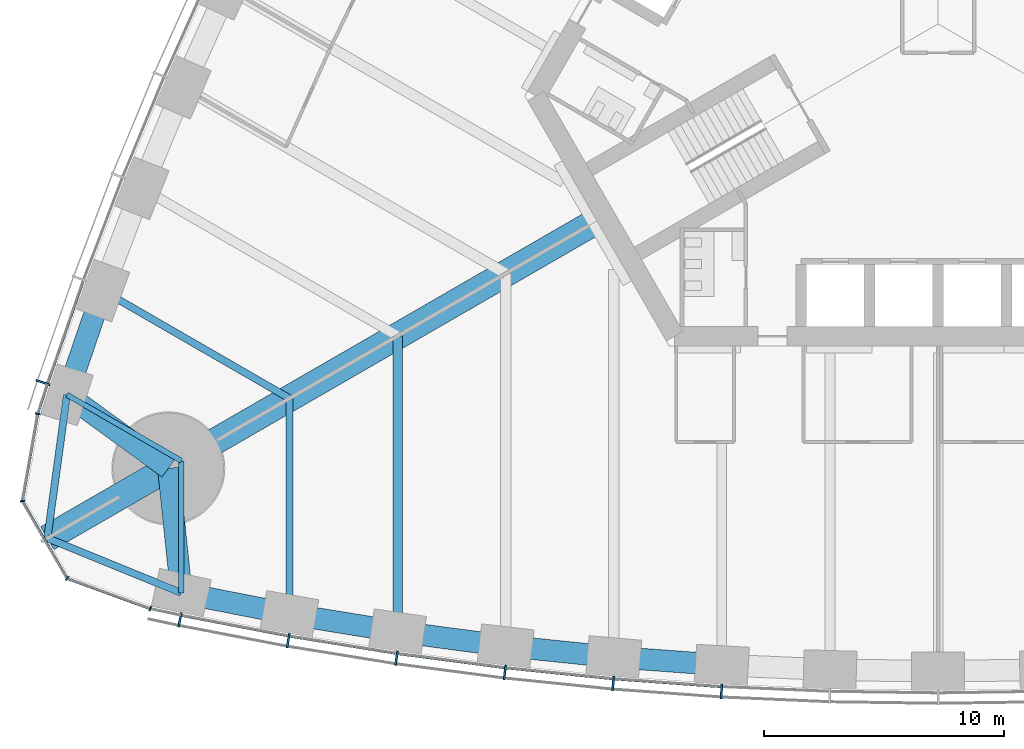
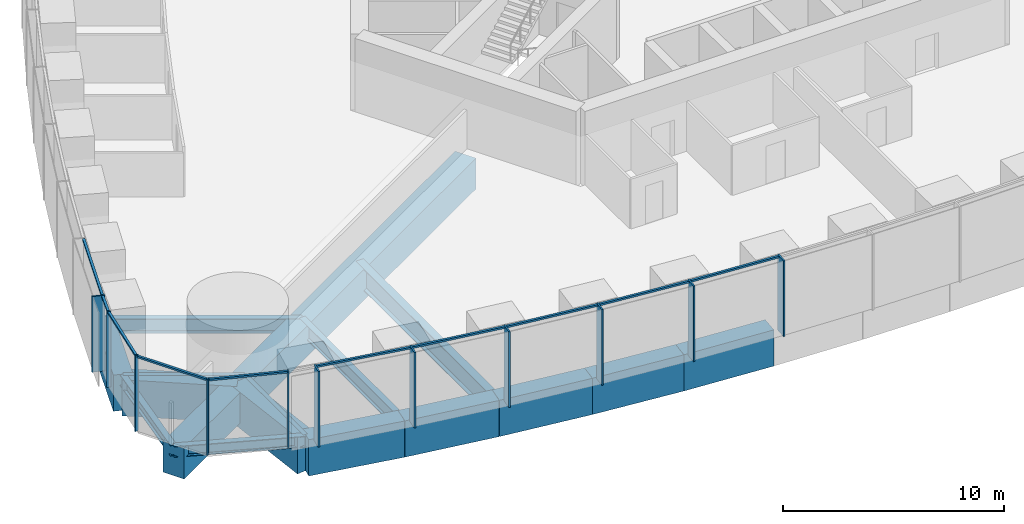
# One storey, part 2 of 19: 21 members, 17 beams, 3 elements without a shape of their own.
"""IFC4 building model written with IfcOpenShell, lengths in metres."""

from ifc_helpers import new_model, si_unit, direction, frame, origin, origin_2d, place, context, subcontext, project, spatial, rectangle, i_section, extrude, material, material_profile, profile_set, type_object, element, aggregate, save


model = new_model("IFC4")

# Units and contexts
model_context = context("Model", 3, precision=1e-05, world=origin(), true_north=direction((0.0, 1.0)))
body_context = subcontext(model_context, "Body", "Model", "MODEL_VIEW")
ifc_project = project(units=[si_unit("LENGTHUNIT", "METRE"), si_unit("AREAUNIT", "SQUARE_METRE"), si_unit("VOLUMEUNIT", "CUBIC_METRE"), si_unit("PLANEANGLEUNIT", "RADIAN"), si_unit("MASSUNIT", "GRAM", prefix="KILO")], contexts=[model_context])

# Site, building, storey
site_placement = place(None, origin())
site = spatial("IfcSite", under=ifc_project, at=site_placement, CompositionType="ELEMENT")
building_placement = place(site_placement, origin())
building = spatial("IfcBuilding", under=site, at=building_placement, Name="Trefoil Bronze Tower", CompositionType="ELEMENT")
storey_placement = place(building_placement, frame((0.0, 0.0, 79.5)))
storey = spatial("IfcBuildingStorey", under=building, at=storey_placement, Name="L18", CompositionType="ELEMENT", Elevation=79.5)

# Curtain wall, members
ifc_material_1 = material(Name="Tinted solar-control glass", Category="glass")
curtain_wall_type_1 = type_object("IfcCurtainWallType", Name="Bronze office curtain wall", PredefinedType="USERDEFINED", material=ifc_material_1)
curtain_wall_1_placement = place(storey_placement, origin())
curtain_wall_1 = element("IfcCurtainWall", 1, at=curtain_wall_1_placement, inside=storey, type_object=curtain_wall_type_1, Name="CW-A L18 F1", ObjectType="CURTAIN WALL", PredefinedType="USERDEFINED")
ifc_material_2 = material(Name="Bronze-finish aluminium", Category="aluminium")
ifc_material_profile_1 = material_profile(ifc_material_2, rectangle(XDim=0.60009765625, YDim=0.080078125, at=origin_2d()), Name="CW-A mullion")
ifc_profile_set_1 = profile_set([ifc_material_profile_1], Name="Bronze-finish aluminium")
member_type_1 = type_object("IfcMemberType", Name="Bronze office curtain wall mullion", PredefinedType="MULLION", material=ifc_profile_set_1)
member_1_placement = place(storey_placement, frame((-31.559326171875, -24.81005859375, 0.0), z_axis=(0.0, 0.0, 1.0), x_axis=(0.197910006829, 0.98022019424, 0.0)))
member_1 = element("IfcMember", 2, at=member_1_placement, type_object=member_type_1, Name="CW-A L18 F1 mullion 2", PredefinedType="MULLION", context=body_context, shape_type="SweptSolid", body=[
    extrude(rectangle(XDim=0.60009765625, YDim=0.080078125, at=origin_2d()), origin(), (0.0, 0.0, 1.0), 4.179931640625),
])
member_2_placement = place(storey_placement, frame((-27.05224609375, -25.67578125, 0.0), z_axis=(0.0, 0.0, 1.0), x_axis=(0.174131146426, 0.984722470468, 0.0)))
member_2 = element("IfcMember", 3, at=member_2_placement, type_object=member_type_1, Name="CW-A L18 F1 mullion 3", PredefinedType="MULLION", context=body_context, shape_type="SweptSolid", body=[
    extrude(rectangle(XDim=0.60009765625, YDim=0.080078125, at=origin_2d()), origin(), (0.0, 0.0, 1.0), 4.179931640625),
])
member_3_placement = place(storey_placement, frame((-22.54345703125, -26.40478515625, 0.0), z_axis=(0.0, 0.0, 1.0), x_axis=(0.145108990094, 0.989415676546, 0.0)))
member_3 = element("IfcMember", 4, at=member_3_placement, type_object=member_type_1, Name="CW-A L18 F1 mullion 4", PredefinedType="MULLION", context=body_context, shape_type="SweptSolid", body=[
    extrude(rectangle(XDim=0.60009765625, YDim=0.080078125, at=origin_2d()), origin(), (0.0, 0.0, 1.0), 4.179931640625),
])
member_4_placement = place(storey_placement, frame((-18.034912109375, -26.99853515625, 0.0), z_axis=(0.0, 0.0, 1.0), x_axis=(0.116086999973, 0.993239048989, 0.0)))
member_4 = element("IfcMember", 5, at=member_4_placement, type_object=member_type_1, Name="CW-A L18 F1 mullion 5", PredefinedType="MULLION", context=body_context, shape_type="SweptSolid", body=[
    extrude(rectangle(XDim=0.60009765625, YDim=0.080078125, at=origin_2d()), origin(), (0.0, 0.0, 1.0), 4.179931640625),
])
member_5_placement = place(storey_placement, frame((-13.526123046875, -27.458984375, 0.0), z_axis=(0.0, 0.0, 1.0), x_axis=(0.087065139456, 0.996202620701, 0.0)))
member_5 = element("IfcMember", 6, at=member_5_placement, type_object=member_type_1, Name="CW-A L18 F1 mullion 6", PredefinedType="MULLION", context=body_context, shape_type="SweptSolid", body=[
    extrude(rectangle(XDim=0.60009765625, YDim=0.080078125, at=origin_2d()), origin(), (0.0, 0.0, 1.0), 4.179931640625),
])
member_6_placement = place(storey_placement, frame((-9.017333984375, -27.786865234375, 0.0), z_axis=(0.0, 0.0, 1.0), x_axis=(0.058043374207, 0.998314062162, 0.0)))
member_6 = element("IfcMember", 7, at=member_6_placement, type_object=member_type_1, Name="CW-A L18 F1 mullion 7", PredefinedType="MULLION", context=body_context, shape_type="SweptSolid", body=[
    extrude(rectangle(XDim=0.60009765625, YDim=0.080078125, at=origin_2d()), origin(), (0.0, 0.0, 1.0), 4.179931640625),
])

# Curtain wall, member
curtain_wall_2_placement = place(storey_placement, origin())
curtain_wall_2 = element("IfcCurtainWall", 8, at=curtain_wall_2_placement, inside=storey, type_object=curtain_wall_type_1, Name="CW-A L18 F3", ObjectType="CURTAIN WALL", PredefinedType="USERDEFINED")
member_7_placement = place(storey_placement, frame((-37.265869140625, -14.92626953125, 0.0), z_axis=(0.0, 0.0, 1.0), x_axis=(0.947850592929, -0.318715003543, 0.0)))
member_7 = element("IfcMember", 9, at=member_7_placement, type_object=member_type_1, Name="CW-A L18 F3 mullion 16", PredefinedType="MULLION", context=body_context, shape_type="SweptSolid", body=[
    extrude(rectangle(XDim=0.60009765625, YDim=0.080078125, at=origin_2d()), origin(), (0.0, 0.0, 1.0), 4.179931640625),
])

# Member
ifc_material_3 = material(Name="Bronze-finish aluminium", Category="aluminium")
ifc_material_profile_2 = material_profile(ifc_material_3, rectangle(XDim=0.1201171875, YDim=0.10009765625, at=origin_2d()), Name="CW-A transom")
ifc_profile_set_2 = profile_set([ifc_material_profile_2], Name="Bronze-finish aluminium")
member_type_2 = type_object("IfcMemberType", Name="Bronze office curtain wall transom", PredefinedType="USERDEFINED", material=ifc_profile_set_2)
member_8_placement = place(storey_placement, frame((-31.4794921875, -24.621826171875, 4.1298828125), z_axis=(0.982053603997, -0.188602011855, 0.0), x_axis=(0.188602011855, 0.982053603997, 0.0)))
member_8 = element("IfcMember", 10, at=member_8_placement, type_object=member_type_2, Name="CW-A L18 F1 transom 2", ObjectType="TRANSOM", PredefinedType="USERDEFINED", context=body_context, shape_type="SweptSolid", body=[
    extrude(rectangle(XDim=0.1201171875, YDim=0.10009765625, at=origin_2d()), origin(), (0.0, 0.0, 1.0), 4.502197265625),
])

member_9_placement = place(storey_placement, frame((-26.9765625, -25.4853515625, 4.1298828125), z_axis=(0.987179401487, -0.159614627398, 0.0), x_axis=(0.159614627398, 0.987179401487, 0.0)))
member_9 = element("IfcMember", 11, at=member_9_placement, type_object=member_type_2, Name="CW-A L18 F1 transom 3", ObjectType="TRANSOM", PredefinedType="USERDEFINED", context=body_context, shape_type="SweptSolid", body=[
    extrude(rectangle(XDim=0.1201171875, YDim=0.10009765625, at=origin_2d()), origin(), (0.0, 0.0, 1.0), 4.478515625),
])

member_10_placement = place(storey_placement, frame((-22.473388671875, -26.212158203125, 4.1298828125), z_axis=(0.991436581643, -0.13058906761, 0.0), x_axis=(0.13058906761, 0.991436581643, 0.0)))
member_10 = element("IfcMember", 12, at=member_10_placement, type_object=member_type_2, Name="CW-A L18 F1 transom 4", ObjectType="TRANSOM", PredefinedType="USERDEFINED", context=body_context, shape_type="SweptSolid", body=[
    extrude(rectangle(XDim=0.1201171875, YDim=0.10009765625, at=origin_2d()), origin(), (0.0, 0.0, 1.0), 4.458740234375),
])

member_11_placement = place(storey_placement, frame((-17.970458984375, -26.80419921875, 4.1298828125), z_axis=(0.994831650915, -0.101538102888, 0.0), x_axis=(0.101538102888, 0.994831650915, 0.0)))
member_11 = element("IfcMember", 13, at=member_11_placement, type_object=member_type_2, Name="CW-A L18 F1 transom 5", ObjectType="TRANSOM", PredefinedType="USERDEFINED", context=body_context, shape_type="SweptSolid", body=[
    extrude(rectangle(XDim=0.1201171875, YDim=0.10009765625, at=origin_2d()), origin(), (0.0, 0.0, 1.0), 4.443359375),
])

member_12_placement = place(storey_placement, frame((-13.46728515625, -27.2626953125, 4.1298828125), z_axis=(0.997364729945, -0.07255064067, 0.0), x_axis=(0.07255064067, 0.997364729945, 0.0)))
member_12 = element("IfcMember", 14, at=member_12_placement, type_object=member_type_2, Name="CW-A L18 F1 transom 6", ObjectType="TRANSOM", PredefinedType="USERDEFINED", context=body_context, shape_type="SweptSolid", body=[
    extrude(rectangle(XDim=0.1201171875, YDim=0.10009765625, at=origin_2d()), origin(), (0.0, 0.0, 1.0), 4.431884765625),
])

aggregate(curtain_wall_1, [member_1, member_2, member_3, member_4, member_5, member_6, member_8, member_9, member_10, member_11, member_12])

member_13_placement = place(storey_placement, frame((-35.587646484375, -10.697509765625, 4.1298828125), z_axis=(-0.327689728493, -0.944785394595, 0.0), x_axis=(0.944785394595, -0.327689728493, 0.0)))
member_13 = element("IfcMember", 15, at=member_13_placement, type_object=member_type_2, Name="CW-A L18 F3 transom 15", ObjectType="TRANSOM", PredefinedType="USERDEFINED", context=body_context, shape_type="SweptSolid", body=[
    extrude(rectangle(XDim=0.1201171875, YDim=0.10009765625, at=origin_2d()), origin(), (0.0, 0.0, 1.0), 4.502197265625),
])

member_14_placement = place(storey_placement, frame((-37.089111328125, -15.02880859375, 4.1298828125), z_axis=(-0.309624219148, -0.950859002648, 0.0), x_axis=(0.950859002648, -0.309624219148, 0.0)))
member_14 = element("IfcMember", 16, at=member_14_placement, type_object=member_type_2, Name="CW-A L18 F3 transom 16", ObjectType="TRANSOM", PredefinedType="USERDEFINED", context=body_context, shape_type="SweptSolid", body=[
    extrude(rectangle(XDim=0.1201171875, YDim=0.10009765625, at=origin_2d()), origin(), (0.0, 0.0, 1.0), 1.21044921875),
])

aggregate(curtain_wall_2, [member_7, member_13, member_14])

# Curtain wall, members
ifc_material_4 = material(Name="Tinted solar-control glass", Category="glass")
curtain_wall_type_2 = type_object("IfcCurtainWallType", Name="Bronze rounded corner curtain wall", PredefinedType="USERDEFINED", material=ifc_material_4)
curtain_wall_3_placement = place(storey_placement, origin())
curtain_wall_3 = element("IfcCurtainWall", 17, at=curtain_wall_3_placement, inside=storey, type_object=curtain_wall_type_2, Name="CW-B L18 K3", ObjectType="CURTAIN WALL", PredefinedType="USERDEFINED")
ifc_material_5 = material(Name="Bronze-finish aluminium", Category="aluminium")
ifc_material_profile_3 = material_profile(ifc_material_5, rectangle(XDim=0.199951171875, YDim=0.06005859375, at=origin_2d()), Name="CW-B mullion")
ifc_profile_set_3 = profile_set([ifc_material_profile_3], Name="Bronze-finish aluminium")
member_type_3 = type_object("IfcMemberType", Name="Bronze rounded corner curtain wall mullion", PredefinedType="MULLION", material=ifc_profile_set_3)
member_15_placement = place(storey_placement, frame((-37.479736328125, -16.2314453125, 0.0), z_axis=(0.0, 0.0, 1.0), x_axis=(0.984807753012, -0.173648177667, 0.0)))
member_15 = element("IfcMember", 18, at=member_15_placement, type_object=member_type_3, Name="CW-B L18 K3 mullion 1", PredefinedType="MULLION", context=body_context, shape_type="SweptSolid", body=[
    extrude(rectangle(XDim=0.199951171875, YDim=0.06005859375, at=origin_2d()), origin(), (0.0, 0.0, 1.0), 4.179931640625),
])
member_16_placement = place(storey_placement, frame((-38.11328125, -19.85888671875, 0.0), z_axis=(0.0, 0.0, 1.0), x_axis=(0.984807753012, 0.173648177667, 0.0)))
member_16 = element("IfcMember", 19, at=member_16_placement, type_object=member_type_3, Name="CW-B L18 K3 mullion 2", PredefinedType="MULLION", context=body_context, shape_type="SweptSolid", body=[
    extrude(rectangle(XDim=0.199951171875, YDim=0.06005859375, at=origin_2d()), origin(), (0.0, 0.0, 1.0), 4.179931640625),
])
member_17_placement = place(storey_placement, frame((-36.2548828125, -23.07763671875, 0.0), z_axis=(0.0, 0.0, 1.0), x_axis=(0.642787609687, 0.766044443119, 0.0)))
member_17 = element("IfcMember", 20, at=member_17_placement, type_object=member_type_3, Name="CW-B L18 K3 mullion 3", PredefinedType="MULLION", context=body_context, shape_type="SweptSolid", body=[
    extrude(rectangle(XDim=0.199951171875, YDim=0.06005859375, at=origin_2d()), origin(), (0.0, 0.0, 1.0), 4.179931640625),
])
member_18_placement = place(storey_placement, frame((-32.796630859375, -24.3427734375, 0.0), z_axis=(0.0, 0.0, 1.0), x_axis=(0.342020143326, 0.939692620786, 0.0)))
member_18 = element("IfcMember", 21, at=member_18_placement, type_object=member_type_3, Name="CW-B L18 K3 mullion 4", PredefinedType="MULLION", context=body_context, shape_type="SweptSolid", body=[
    extrude(rectangle(XDim=0.199951171875, YDim=0.06005859375, at=origin_2d()), origin(), (0.0, 0.0, 1.0), 4.179931640625),
])
ifc_material_6 = material(Name="Bronze-finish aluminium", Category="aluminium")
ifc_material_profile_4 = material_profile(ifc_material_6, rectangle(XDim=0.1201171875, YDim=0.10009765625, at=origin_2d()), Name="CW-B transom")
ifc_profile_set_4 = profile_set([ifc_material_profile_4], Name="Bronze-finish aluminium")
member_type_4 = type_object("IfcMemberType", Name="Bronze rounded corner curtain wall transom", PredefinedType="USERDEFINED", material=ifc_profile_set_4)
member_19_placement = place(storey_placement, frame((-37.48486328125, -16.260986328125, 4.1298828125), z_axis=(-0.17363783606, -0.984809576461, 0.0), x_axis=(0.984809576461, -0.17363783606, 0.0)))
member_19 = element("IfcMember", 22, at=member_19_placement, type_object=member_type_4, Name="CW-B L18 K3 transom 1", ObjectType="TRANSOM", PredefinedType="USERDEFINED", context=body_context, shape_type="SweptSolid", body=[
    extrude(rectangle(XDim=0.1201171875, YDim=0.10009765625, at=origin_2d()), origin(), (0.0, 0.0, 1.0), 3.588134765625),
])
member_20_placement = place(storey_placement, frame((-38.08642578125, -19.91748046875, 4.1298828125), z_axis=(0.500024788772, -0.866011091507, 0.0), x_axis=(0.866011091507, 0.500024788772, 0.0)))
member_20 = element("IfcMember", 23, at=member_20_placement, type_object=member_type_4, Name="CW-B L18 K3 transom 2", ObjectType="TRANSOM", PredefinedType="USERDEFINED", context=body_context, shape_type="SweptSolid", body=[
    extrude(rectangle(XDim=0.1201171875, YDim=0.10009765625, at=origin_2d()), origin(), (0.0, 0.0, 1.0), 3.588134765625),
])
member_21_placement = place(storey_placement, frame((-36.196533203125, -23.105224609375, 4.1298828125), z_axis=(0.939688092095, -0.342032585545, 0.0), x_axis=(0.342032585545, 0.939688092095, 0.0)))
member_21 = element("IfcMember", 24, at=member_21_placement, type_object=member_type_4, Name="CW-B L18 K3 transom 3", ObjectType="TRANSOM", PredefinedType="USERDEFINED", context=body_context, shape_type="SweptSolid", body=[
    extrude(rectangle(XDim=0.1201171875, YDim=0.10009765625, at=origin_2d()), origin(), (0.0, 0.0, 1.0), 3.588134765625),
])
aggregate(curtain_wall_3, [member_15, member_16, member_17, member_18, member_19, member_20, member_21])

# Beams
ifc_material_7 = material(Name="Concrete B80", Category="concrete")
ifc_material_profile_5 = material_profile(ifc_material_7, rectangle(XDim=1.10009765625, YDim=1.699951171875, at=origin_2d()), Name="RC 1100x1700")
ifc_profile_set_5 = profile_set([ifc_material_profile_5], Name="Concrete B80")
beam_type_1 = type_object("IfcBeamType", Name="Corner cantilever RC 1100x1700", PredefinedType="BEAM", material=ifc_profile_set_5)
beam_1_placement = place(storey_placement, frame((-32.04296875, -18.5, -1.050048828125), z_axis=(-0.866030348588, -0.499991435252, 0.0), x_axis=(0.499991435252, -0.866030348588, 0.0)))
element("IfcBeam", 25, at=beam_1_placement, inside=storey, type_object=beam_type_1, Name="Corner cantilever K3 L18", PredefinedType="BEAM", context=body_context, shape_type="SweptSolid", body=[
    extrude(rectangle(XDim=1.10009765625, YDim=1.699951171875, at=origin_2d()), origin(), (0.0, 0.0, 1.0), 5.81396484375),
])
ifc_material_8 = material(Name="Steel C355", Category="steel")
ifc_material_profile_6 = material_profile(ifc_material_8, i_section(OverallWidth=0.300048828125, OverallDepth=0.60009765625, WebThickness=0.015380859375, FlangeThickness=0.030029296875, FilletRadius=0.027099609375, at=origin_2d()), Name="HEB 600")
ifc_profile_set_6 = profile_set([ifc_material_profile_6], Name="Steel C355")
beam_type_2 = type_object("IfcBeamType", Name="Corner edge beam HEB 600", PredefinedType="BEAM", material=ifc_profile_set_6)
beam_2_placement = place(storey_placement, frame((-31.5, -23.684814453125, -0.5), z_axis=(-0.925786874353, 0.378045848114, 0.0), x_axis=(-0.378045848114, -0.925786874353, 0.0)))
element("IfcBeam", 26, at=beam_2_placement, inside=storey, type_object=beam_type_2, Name="Corner edge beam F1B L18", PredefinedType="BEAM", context=body_context, shape_type="SweptSolid", body=[
    extrude(i_section(OverallWidth=0.300048828125, OverallDepth=0.60009765625, WebThickness=0.015380859375, FlangeThickness=0.030029296875, FilletRadius=0.027099609375, at=origin_2d()), origin(), (0.0, 0.0, 1.0), 6.025390625),
])
beam_3_placement = place(storey_placement, frame((-36.26171875, -15.4375, -0.5), z_axis=(-0.13550196505, -0.990777077585, 0.0), x_axis=(0.990777077585, -0.13550196505, 0.0)))
element("IfcBeam", 27, at=beam_3_placement, inside=storey, type_object=beam_type_2, Name="Corner edge beam F3A L18", PredefinedType="BEAM", context=body_context, shape_type="SweptSolid", body=[
    extrude(i_section(OverallWidth=0.300048828125, OverallDepth=0.60009765625, WebThickness=0.015380859375, FlangeThickness=0.030029296875, FilletRadius=0.027099609375, at=origin_2d()), origin(), (0.0, 0.0, 1.0), 6.025146484375),
])
ifc_material_9 = material(Name="Concrete B80", Category="concrete")
ifc_material_profile_7 = material_profile(ifc_material_9, rectangle(XDim=1.10009765625, YDim=1.699951171875, at=origin_2d()), Name="RC 1100x1700")
ifc_profile_set_7 = profile_set([ifc_material_profile_7], Name="Concrete B80")
beam_type_3 = type_object("IfcBeamType", Name="Corner girder RC 1100x1700", PredefinedType="BEAM", material=ifc_profile_set_7)
beam_4_placement = place(storey_placement, frame((-14.202880859375, -8.199951171875, -1.050048828125), z_axis=(-0.866023947468, -0.500002522405, 0.0), x_axis=(0.500002522405, -0.866023947468, 0.0)))
element("IfcBeam", 28, at=beam_4_placement, inside=storey, type_object=beam_type_3, Name="Corner girder K3 L18", PredefinedType="BEAM", context=body_context, shape_type="SweptSolid", body=[
    extrude(rectangle(XDim=1.10009765625, YDim=1.699951171875, at=origin_2d()), origin(), (0.0, 0.0, 1.0), 20.60009765625),
])
ifc_material_10 = material(Name="Concrete B80", Category="concrete")
ifc_material_profile_8 = material_profile(ifc_material_10, rectangle(XDim=0.89990234375, YDim=2.0, at=origin_2d()), Name="RC 900x2000")
ifc_profile_set_8 = profile_set([ifc_material_profile_8], Name="Concrete B80")
beam_type_4 = type_object("IfcBeamType", Name="End spandrel beam RC 900x2000", PredefinedType="SPANDREL", material=ifc_profile_set_8)
for number, where, z_axis, x_axis, name in (
    (29, (-32.04296875, -18.5, -1.199951171875), (0.104153327908, -0.994561252154, 0.0), (0.994561252154, 0.104153327908, 0.0), "Spandrel F1.1 L18"),
    (30, (-36.26171875, -15.4375, -1.199951171875), (0.809254211267, -0.587458612624, 0.0), (0.587458612624, 0.809254211267, 0.0), "Spandrel F3.16 L18"),
):
    element("IfcBeam", number, at=place(storey_placement, frame(where, z_axis=z_axis, x_axis=x_axis)), inside=storey, type_object=beam_type_4, Name=name, PredefinedType="SPANDREL", context=body_context, shape_type="SweptSolid", body=[
        extrude(rectangle(XDim=0.89990234375, YDim=2.0, at=origin_2d()), origin(), (0.0, 0.0, 1.0), 5.213134765625),
    ])
ifc_material_11 = material(Name="Steel C355", Category="steel")
ifc_material_profile_9 = material_profile(ifc_material_11, i_section(OverallWidth=0.300048828125, OverallDepth=0.800048828125, WebThickness=0.017578125, FlangeThickness=0.032958984375, FilletRadius=0.030029296875, at=origin_2d()), Name="HEB 800")
ifc_profile_set_9 = profile_set([ifc_material_profile_9], Name="Steel C355")
beam_type_5 = type_object("IfcBeamType", Name="Floor beam HEB 800", PredefinedType="BEAM", material=ifc_profile_set_9)
for number, where, z_axis, x_axis, name in (
    (31, (-27.0, -24.56787109375, -0.60009765625), (0.0, 1.0, 0.0), (-1.0, 0.0, 0.0), "Floor beam F1/-6 L18"),
    (32, (-34.7763671875, -11.0986328125, -0.60009765625), (0.866022587327, -0.500004878216, 0.0), (0.500004878216, 0.866022587327, 0.0), "Floor beam F3/+6 L18"),
):
    element("IfcBeam", number, at=place(storey_placement, frame(where, z_axis=z_axis, x_axis=x_axis)), inside=storey, type_object=beam_type_5, Name=name, PredefinedType="BEAM", context=body_context, shape_type="SweptSolid", body=[
        extrude(i_section(OverallWidth=0.300048828125, OverallDepth=0.800048828125, WebThickness=0.017578125, FlangeThickness=0.032958984375, FilletRadius=0.030029296875, at=origin_2d()), origin(), (0.0, 0.0, 1.0), 8.9794921875),
    ])
ifc_material_12 = material(Name="Steel C355", Category="steel")
ifc_material_profile_10 = material_profile(ifc_material_12, i_section(OverallWidth=0.219970703125, OverallDepth=0.60009765625, WebThickness=0.011962890625, FlangeThickness=0.01904296875, FilletRadius=0.02392578125, at=origin_2d()), Name="IPE 600")
ifc_profile_set_10 = profile_set([ifc_material_profile_10], Name="Steel C355")
beam_type_6 = type_object("IfcBeamType", Name="Floor beam IPE 600", PredefinedType="BEAM", material=ifc_profile_set_10)
for number, where, z_axis, x_axis, name in (
    (33, (-31.5, -23.684814453125, -0.5), (0.0, 1.0, 0.0), (-1.0, 0.0, 0.0), "Floor beam F1/-7 L18"),
    (34, (-36.26171875, -15.4375, -0.5), (0.866037702141, -0.499978698016, 0.0), (0.499978698016, 0.866037702141, 0.0), "Floor beam F3/+7 L18"),
):
    element("IfcBeam", number, at=place(storey_placement, frame(where, z_axis=z_axis, x_axis=x_axis)), inside=storey, type_object=beam_type_6, Name=name, PredefinedType="BEAM", context=body_context, shape_type="SweptSolid", body=[
        extrude(i_section(OverallWidth=0.219970703125, OverallDepth=0.60009765625, WebThickness=0.011962890625, FlangeThickness=0.01904296875, FilletRadius=0.02392578125, at=origin_2d()), origin(), (0.0, 0.0, 1.0), 5.498291015625),
    ])
ifc_material_13 = material(Name="Steel C355", Category="steel")
ifc_material_profile_11 = material_profile(ifc_material_13, i_section(OverallWidth=0.39990234375, OverallDepth=1.199951171875, WebThickness=0.02001953125, FlangeThickness=0.0400390625, FilletRadius=0.010009765625, at=origin_2d()), Name="WPG 1200")
ifc_profile_set_11 = profile_set([ifc_material_profile_11], Name="Steel C355")
beam_type_7 = type_object("IfcBeamType", Name="Floor beam WPG 1200", PredefinedType="BEAM", material=ifc_profile_set_11)
beam_5_placement = place(storey_placement, frame((-22.5, -25.29931640625, -0.800048828125), z_axis=(0.0, 1.0, 0.0), x_axis=(-1.0, 0.0, 0.0)))
element("IfcBeam", 35, at=beam_5_placement, inside=storey, type_object=beam_type_7, Name="Floor beam F1/-5 L18", PredefinedType="BEAM", context=body_context, shape_type="SweptSolid", body=[
    extrude(i_section(OverallWidth=0.39990234375, OverallDepth=1.199951171875, WebThickness=0.02001953125, FlangeThickness=0.0400390625, FilletRadius=0.010009765625, at=origin_2d()), origin(), (0.0, 0.0, 1.0), 12.308837890625),
])
ifc_material_14 = material(Name="Concrete B80", Category="concrete")
ifc_material_profile_12 = material_profile(ifc_material_14, rectangle(XDim=0.89990234375, YDim=2.0, at=origin_2d()), Name="RC 900x2000")
ifc_profile_set_12 = profile_set([ifc_material_profile_12], Name="Concrete B80")
beam_type_8 = type_object("IfcBeamType", Name="Spandrel beam RC 900x2000", PredefinedType="SPANDREL", material=ifc_profile_set_12)
beam_6_placement = place(storey_placement, frame((-31.5, -23.684814453125, -1.199951171875), z_axis=(0.981284764092, -0.192562228283, 0.0), x_axis=(0.192562228283, 0.981284764092, 0.0)))
element("IfcBeam", 36, at=beam_6_placement, inside=storey, type_object=beam_type_8, Name="Spandrel F1.2 L18", PredefinedType="SPANDREL", context=body_context, shape_type="SweptSolid", body=[
    extrude(rectangle(XDim=0.89990234375, YDim=2.0, at=origin_2d()), origin(), (0.0, 0.0, 1.0), 4.5859375),
])
beam_7_placement = place(storey_placement, frame((-27.0, -24.56787109375, -1.199951171875), z_axis=(0.987045951254, -0.160437807615, 0.0), x_axis=(0.160437807615, 0.987045951254, 0.0)))
element("IfcBeam", 37, at=beam_7_placement, inside=storey, type_object=beam_type_8, Name="Spandrel F1.3 L18", PredefinedType="SPANDREL", context=body_context, shape_type="SweptSolid", body=[
    extrude(rectangle(XDim=0.89990234375, YDim=2.0, at=origin_2d()), origin(), (0.0, 0.0, 1.0), 4.55908203125),
])
beam_8_placement = place(storey_placement, frame((-22.5, -25.29931640625, -1.199951171875), z_axis=(0.991344474846, -0.131286450906, 0.0), x_axis=(0.131286450906, 0.991344474846, 0.0)))
element("IfcBeam", 38, at=beam_8_placement, inside=storey, type_object=beam_type_8, Name="Spandrel F1.4 L18", PredefinedType="SPANDREL", context=body_context, shape_type="SweptSolid", body=[
    extrude(rectangle(XDim=0.89990234375, YDim=2.0, at=origin_2d()), origin(), (0.0, 0.0, 1.0), 4.539306640625),
])
beam_9_placement = place(storey_placement, frame((-18.0, -25.895263671875, -1.199951171875), z_axis=(0.994778488621, -0.102057623805, 0.0), x_axis=(0.102057623805, 0.994778488621, 0.0)))
element("IfcBeam", 39, at=beam_9_placement, inside=storey, type_object=beam_type_8, Name="Spandrel F1.5 L18", PredefinedType="SPANDREL", context=body_context, shape_type="SweptSolid", body=[
    extrude(rectangle(XDim=0.89990234375, YDim=2.0, at=origin_2d()), origin(), (0.0, 0.0, 1.0), 4.523681640625),
])
beam_10_placement = place(storey_placement, frame((-13.5, -26.35693359375, -1.199951171875), z_axis=(0.997336412354, -0.072938882588, 0.0), x_axis=(0.072938882588, 0.997336412354, 0.0)))
element("IfcBeam", 40, at=beam_10_placement, inside=storey, type_object=beam_type_8, Name="Spandrel F1.6 L18", PredefinedType="SPANDREL", context=body_context, shape_type="SweptSolid", body=[
    extrude(rectangle(XDim=0.89990234375, YDim=2.0, at=origin_2d()), origin(), (0.0, 0.0, 1.0), 4.511962890625),
])
beam_11_placement = place(storey_placement, frame((-34.7763671875, -11.0986328125, -1.199951171875), z_axis=(-0.323883319148, -0.946097032855, 0.0), x_axis=(0.946097032855, -0.323883319148, 0.0)))
element("IfcBeam", 41, at=beam_11_placement, inside=storey, type_object=beam_type_8, Name="Spandrel F3.15 L18", PredefinedType="SPANDREL", context=body_context, shape_type="SweptSolid", body=[
    extrude(rectangle(XDim=0.89990234375, YDim=2.0, at=origin_2d()), origin(), (0.0, 0.0, 1.0), 4.586181640625),
])

save(model, "model.ifc")
